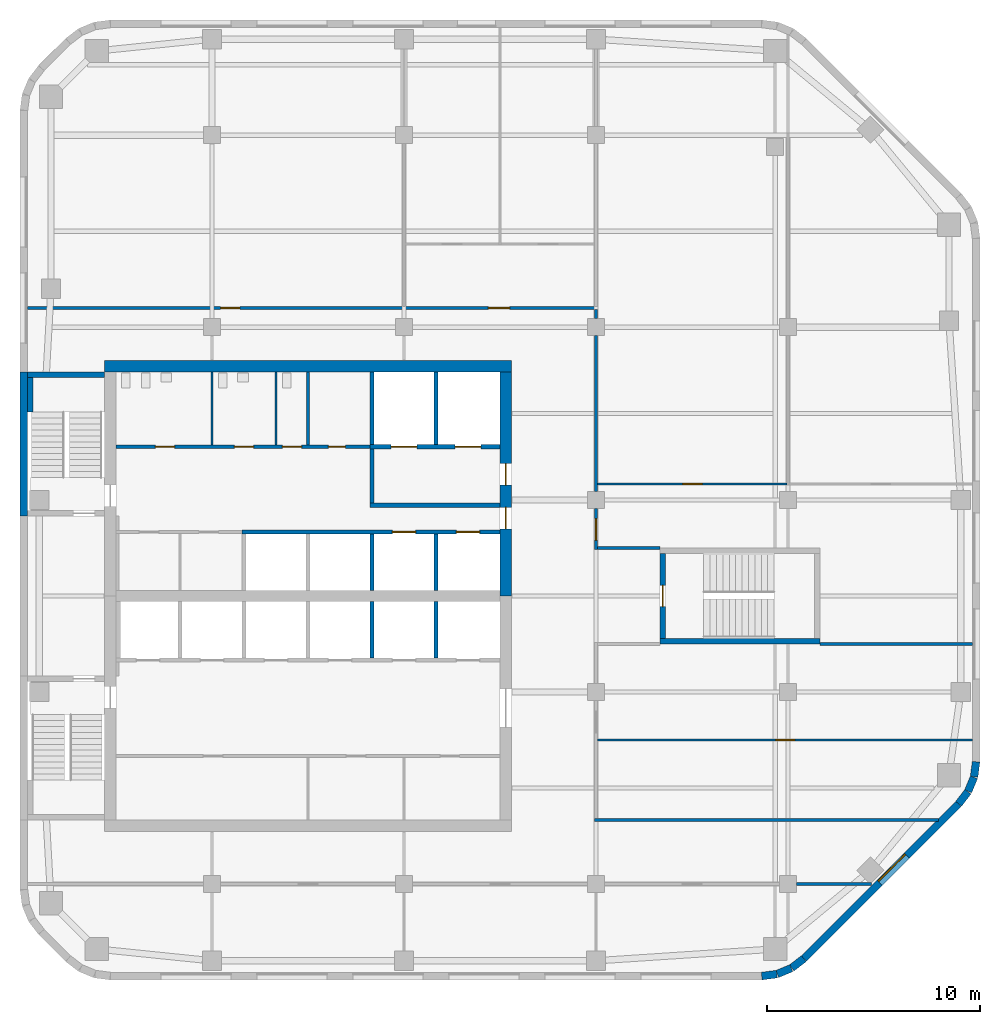
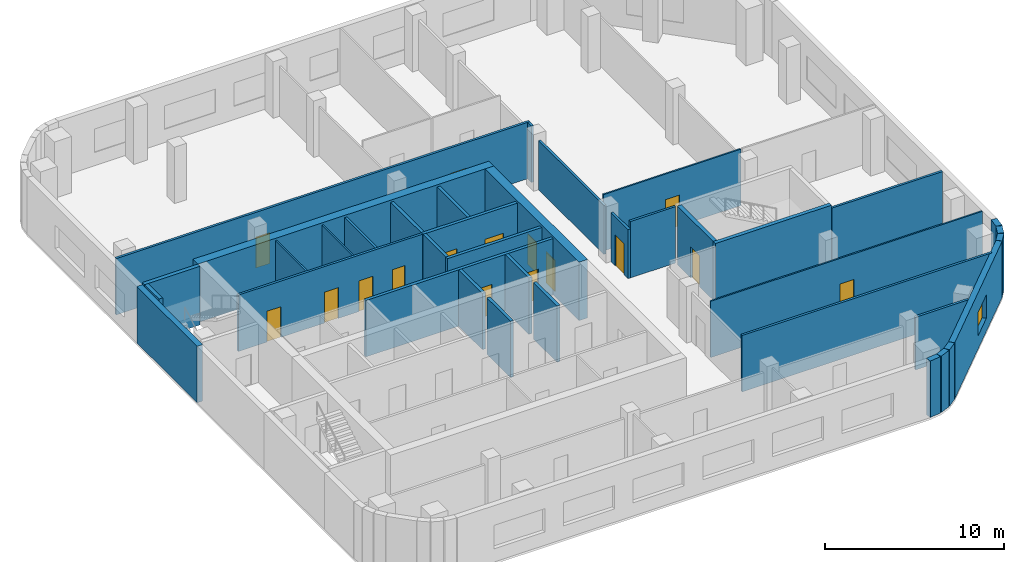
# One storey, part 4 of 8: 38 walls, 16 doors, 1 window, 17 openings.
"""IFC4 building model written with IfcOpenShell, lengths in metres."""

from ifc_helpers import new_model, si_unit, direction, frame, frame_2d, origin, place, context, subcontext, project, spatial, rectangle, extrude, material, layer, layer_set, type_object, element, fill, save


model = new_model("IFC4")

# Units and contexts
model_context = context("Model", 3, precision=1e-05, world=origin(), true_north=direction((0.0, 1.0)))
body_context = subcontext(model_context, "Body", "Model", "MODEL_VIEW")
ifc_project = project(units=[si_unit("LENGTHUNIT", "METRE"), si_unit("AREAUNIT", "SQUARE_METRE"), si_unit("VOLUMEUNIT", "CUBIC_METRE"), si_unit("PLANEANGLEUNIT", "RADIAN"), si_unit("MASSUNIT", "GRAM", prefix="KILO")], contexts=[model_context])

# Site, building, storey
site_placement = place(None, origin())
site = spatial("IfcSite", under=ifc_project, at=site_placement, CompositionType="ELEMENT")
building_placement = place(site_placement, origin())
building = spatial("IfcBuilding", under=site, at=building_placement, Name="Cinnabar Reach Civic Tower", CompositionType="ELEMENT")
storey_placement = place(building_placement, frame((0.0, 0.0, 206.0)))
storey = spatial("IfcBuildingStorey", under=building, at=storey_placement, Name="L49", CompositionType="ELEMENT", Elevation=206.0)

# Walls
ifc_material_1 = material(Name="Facing brick with insulated backing", Category="masonry")
ifc_layer_1 = layer(ifc_material_1, 0.36)
ifc_layer_set_1 = layer_set([ifc_layer_1], Name="Brick corner wall")
wall_type_1 = type_object("IfcWallType", Name="Brick corner wall", PredefinedType="STANDARD", material=ifc_layer_set_1)
for number, where, z_axis, x_axis, name in (
    (1, (34.7686, 13.683, 0.0), (0.0, 0.0, 1.0), (0.99144092581, 0.13055608231, 0.0), "Brick corner wall"),
    (2, (35.4973, 13.7819, 0.0), (0.0, 0.0, 1.0), (0.923871547278, 0.382702709855, 0.0), "Brick corner wall"),
):
    element("IfcWall", number, at=place(storey_placement, frame(where, z_axis=z_axis, x_axis=x_axis)), inside=storey, type_object=wall_type_1, Name=name, PredefinedType="STANDARD", context=body_context, shape_type="SweptSolid", body=[
        extrude(rectangle(XDim=0.7131, YDim=0.36, at=frame_2d((0.3565, 0.0))), origin(), (0.0, 0.0, 1.0), 3.85),
    ])
for number, where, z_axis, x_axis, name in (
    (3, (36.1755, 14.066, 0.0), (0.0, 0.0, 1.0), (0.793321924995, 0.608802368033, 0.0), "Brick corner wall"),
    (4, (43.9998, 21.7587, 0.0), (0.0, 0.0, 1.0), (0.608802368033, 0.793321924995, 0.0), "Brick corner wall"),
):
    element("IfcWall", number, at=place(storey_placement, frame(where, z_axis=z_axis, x_axis=x_axis)), inside=storey, type_object=wall_type_1, Name=name, PredefinedType="STANDARD", context=body_context, shape_type="SweptSolid", body=[
        extrude(rectangle(XDim=0.7132, YDim=0.36, at=frame_2d((0.3566, 0.0))), origin(), (0.0, 0.0, 1.0), 3.85),
    ])
for number, where, z_axis, x_axis, name in (
    (5, (44.4452, 22.3439, 0.0), (0.0, 0.0, 1.0), (0.382702709855, 0.923871547278, 0.0), "Brick corner wall"),
    (6, (44.7239, 23.0244, 0.0), (0.0, 0.0, 1.0), (0.13055608231, 0.99144092581, 0.0), "Brick corner wall"),
):
    element("IfcWall", number, at=place(storey_placement, frame(where, z_axis=z_axis, x_axis=x_axis)), inside=storey, type_object=wall_type_1, Name=name, PredefinedType="STANDARD", context=body_context, shape_type="SweptSolid", body=[
        extrude(rectangle(XDim=0.7131, YDim=0.36, at=frame_2d((0.3565, 0.0))), origin(), (0.0, 0.0, 1.0), 3.85),
    ])

# Wall, opening, window
ifc_layer_2 = layer(ifc_material_1, 0.36)
ifc_layer_set_2 = layer_set([ifc_layer_2], Name="Brick pier and spandrel wall")
wall_type_2 = type_object("IfcWallType", Name="Brick pier and spandrel wall", PredefinedType="STANDARD", material=ifc_layer_set_2)
wall_1_placement = place(storey_placement, frame((36.7514, 14.506, 0.0), z_axis=(0.0, 0.0, 1.0), x_axis=(0.707106781187, 0.707106781187, 0.0)))
wall_1 = element("IfcWall", 7, at=wall_1_placement, inside=storey, type_object=wall_type_2, Name="Brick facade wall", PredefinedType="STANDARD", context=body_context, shape_type="SweptSolid", body=[
    extrude(rectangle(XDim=10.2426, YDim=0.36, at=frame_2d((5.1213, 0.0))), origin(), (0.0, 0.0, 1.0), 3.85),
])
opening_1_placement = place(wall_1_placement, frame((5.0213, 0.0, 0.9)))
opening_1 = element("IfcOpeningElement", 8, at=opening_1_placement, cuts=wall_1, Name="Opening W2006", PredefinedType="OPENING", context=body_context, shape_type="SweptSolid", body=[
    extrude(rectangle(XDim=1.8, YDim=1.6, at=frame_2d((0.9, 0.8))), frame((0.0, 0.19, 0.0), z_axis=(0.0, -1.0, 0.0), x_axis=(1.0, 0.0, 0.0)), (0.0, 0.0, 1.0), 0.38),
])
ifc_material_2 = material(Name="Clear double glazing in aluminium frame", Category="aluminium")
window_type = type_object("IfcWindowType", Name="Deep-set window D", PartitioningType="SINGLE_PANEL", PredefinedType="WINDOW", material=ifc_material_2)
window_placement = place(opening_1_placement, origin())
window = element("IfcWindow", 9, at=window_placement, inside=storey, type_object=window_type, Name="Window southeast face", OverallHeight=1.6, OverallWidth=1.8, PartitioningType="SINGLE_PANEL", PredefinedType="WINDOW", context=body_context, shape_type="SweptSolid", body=[
    extrude(rectangle(XDim=1.8, YDim=1.6, at=frame_2d((0.9, 0.8))), frame((0.0, 0.13, 0.0), z_axis=(0.0, -1.0, 0.0), x_axis=(1.0, 0.0, 0.0)), (0.0, 0.0, 1.0), 0.06),
])
fill(opening_1, window)

# Walls
wall_2_placement = place(storey_placement, frame((0.18, 42.0, 0.0), z_axis=(0.0, 0.0, 1.0), x_axis=(0.0, -1.0, 0.0)))
element("IfcWall", 10, at=wall_2_placement, inside=storey, type_object=wall_type_2, Name="Brick facade wall", PredefinedType="STANDARD", context=body_context, shape_type="SweptSolid", body=[
    extrude(rectangle(XDim=6.75, YDim=0.36, at=frame_2d((3.375, 0.0))), origin(), (0.0, 0.0, 1.0), 3.85),
])
ifc_material_3 = material(Name="Concrete C60", Category="concrete")
ifc_layer_3 = layer(ifc_material_3, 0.55)
ifc_layer_set_3 = layer_set([ifc_layer_3], Name="Core wall 550 EI 180")
wall_type_3 = type_object("IfcWallType", Name="Core wall 550 EI 180", PredefinedType="SOLIDWALL", material=ifc_layer_set_3)
wall_3_placement = place(storey_placement, frame((23.05, 42.275, 0.0), z_axis=(0.0, 0.0, 1.0), x_axis=(-1.0, 0.0, 0.0)))
element("IfcWall", 11, at=wall_3_placement, inside=storey, type_object=wall_type_3, Name="Core wall T1 L49 N", PredefinedType="SOLIDWALL", context=body_context, shape_type="SweptSolid", body=[
    extrude(rectangle(XDim=19.1, YDim=0.55, at=frame_2d((9.55, 0.0))), origin(), (0.0, 0.0, 1.0), 4.0),
])

# Wall, openings, doors
wall_4_placement = place(storey_placement, frame((22.775, 31.5, 0.0), z_axis=(0.0, 0.0, 1.0), x_axis=(0.0, 1.0, 0.0)))
wall_4 = element("IfcWall", 12, at=wall_4_placement, inside=storey, type_object=wall_type_3, Name="Core wall T1 L49 E2", PredefinedType="SOLIDWALL", context=body_context, shape_type="SweptSolid", body=[
    extrude(rectangle(XDim=10.5, YDim=0.55, at=frame_2d((5.25, 0.0))), origin(), (0.0, 0.0, 1.0), 4.0),
])
opening_2_placement = place(wall_4_placement, frame((3.15, 0.0, 0.0)))
opening_2 = element("IfcOpeningElement", 13, at=opening_2_placement, cuts=wall_4, Name="Opening D5008", PredefinedType="OPENING", context=body_context, shape_type="SweptSolid", body=[
    extrude(rectangle(XDim=1.0, YDim=2.1, at=frame_2d((0.5, 1.05))), frame((0.0, 0.285, 0.0), z_axis=(0.0, -1.0, 0.0), x_axis=(1.0, 0.0, 0.0)), (0.0, 0.0, 1.0), 0.57),
])
opening_3_placement = place(wall_4_placement, frame((5.2, 0.0, 0.0)))
opening_3 = element("IfcOpeningElement", 14, at=opening_3_placement, cuts=wall_4, Name="Opening D5009", PredefinedType="OPENING", context=body_context, shape_type="SweptSolid", body=[
    extrude(rectangle(XDim=1.0, YDim=2.1, at=frame_2d((0.5, 1.05))), frame((0.0, 0.285, 0.0), z_axis=(0.0, -1.0, 0.0), x_axis=(1.0, 0.0, 0.0)), (0.0, 0.0, 1.0), 0.57),
])
ifc_material_4 = material(Name="Timber door leaf in steel frame", Category="steel")
door_type_1 = type_object("IfcDoorType", Name="Firefighting lobby door 1000 x 2100 T1", OperationType="SINGLE_SWING_LEFT", PredefinedType="DOOR", material=ifc_material_4)
door_1_placement = place(opening_3_placement, origin())
door_1 = element("IfcDoor", 15, at=door_1_placement, inside=storey, type_object=door_type_1, Name="Door D5009", OperationType="SINGLE_SWING_RIGHT", OverallHeight=2.1, OverallWidth=1.0, PredefinedType="DOOR", context=body_context, shape_type="SweptSolid", body=[
    extrude(rectangle(XDim=1.0, YDim=2.1, at=frame_2d((0.5, 1.05))), frame((0.0, 0.025, 0.0), z_axis=(0.0, -1.0, 0.0), x_axis=(1.0, 0.0, 0.0)), (0.0, 0.0, 1.0), 0.05),
])
fill(opening_3, door_1)
door_type_2 = type_object("IfcDoorType", Name="Single swing door 1000 x 2100 T1", OperationType="SINGLE_SWING_LEFT", PredefinedType="DOOR", material=ifc_material_4)
door_2_placement = place(opening_2_placement, origin())
door_2 = element("IfcDoor", 16, at=door_2_placement, inside=storey, type_object=door_type_2, Name="Door D5008", OperationType="SINGLE_SWING_RIGHT", OverallHeight=2.1, OverallWidth=1.0, PredefinedType="DOOR", context=body_context, shape_type="SweptSolid", body=[
    extrude(rectangle(XDim=1.0, YDim=2.1, at=frame_2d((0.5, 1.05))), frame((0.0, 0.025, 0.0), z_axis=(0.0, -1.0, 0.0), x_axis=(1.0, 0.0, 0.0)), (0.0, 0.0, 1.0), 0.05),
])
fill(opening_2, door_2)

# Wall
ifc_material_5 = material(Name="Gypsum board on steel studs, double layer", Category="steel")
ifc_layer_4 = layer(ifc_material_5, 0.15)
ifc_layer_set_4 = layer_set([ifc_layer_4], Name="Corridor wall 150 T1")
wall_type_4 = type_object("IfcWallType", Name="Corridor wall 150 T1", PredefinedType="PARTITIONING", material=ifc_layer_set_4)
wall_5_placement = place(storey_placement, frame((36.4, 18.0, 0.0), z_axis=(0.0, 0.0, 1.0), x_axis=(1.0, 0.0, 0.0)))
element("IfcWall", 17, at=wall_5_placement, inside=storey, type_object=wall_type_4, Name="Corridor wall 18", PredefinedType="PARTITIONING", context=body_context, shape_type="SweptSolid", body=[
    extrude(rectangle(XDim=3.516, YDim=0.15, at=frame_2d((1.758, 0.0))), origin(), (0.0, 0.0, 1.0), 3.602),
])

# Wall, openings, doors
wall_6_placement = place(storey_placement, frame((0.36, 45.0, 0.0), z_axis=(0.0, 0.0, 1.0), x_axis=(1.0, 0.0, 0.0)))
wall_6 = element("IfcWall", 18, at=wall_6_placement, inside=storey, type_object=wall_type_4, Name="Corridor wall 23", PredefinedType="PARTITIONING", context=body_context, shape_type="SweptSolid", body=[
    extrude(rectangle(XDim=26.715, YDim=0.15, at=frame_2d((13.3575, 0.0))), origin(), (0.0, 0.0, 1.0), 3.85),
])
opening_4_placement = place(wall_6_placement, frame((9.05, 0.0, 0.0)))
opening_4 = element("IfcOpeningElement", 19, at=opening_4_placement, cuts=wall_6, Name="Opening D5028", PredefinedType="OPENING", context=body_context, shape_type="SweptSolid", body=[
    extrude(rectangle(XDim=0.9, YDim=2.1, at=frame_2d((0.45, 1.05))), frame((0.0, 0.085, 0.0), z_axis=(0.0, -1.0, 0.0), x_axis=(1.0, 0.0, 0.0)), (0.0, 0.0, 1.0), 0.17),
])
opening_5_placement = place(wall_6_placement, frame((21.59, 0.0, 0.0)))
opening_5 = element("IfcOpeningElement", 20, at=opening_5_placement, cuts=wall_6, Name="Opening D5029", PredefinedType="OPENING", context=body_context, shape_type="SweptSolid", body=[
    extrude(rectangle(XDim=1.0, YDim=2.1, at=frame_2d((0.5, 1.05))), frame((0.0, 0.085, 0.0), z_axis=(0.0, -1.0, 0.0), x_axis=(1.0, 0.0, 0.0)), (0.0, 0.0, 1.0), 0.17),
])
door_type_3 = type_object("IfcDoorType", Name="Single swing door 900 x 2100 corridor T1", OperationType="SINGLE_SWING_LEFT", PredefinedType="DOOR", material=ifc_material_4)
door_3_placement = place(opening_4_placement, origin())
door_3 = element("IfcDoor", 21, at=door_3_placement, inside=storey, type_object=door_type_3, Name="Door D5028", OperationType="SINGLE_SWING_LEFT", OverallHeight=2.1, OverallWidth=0.9, PredefinedType="DOOR", context=body_context, shape_type="SweptSolid", body=[
    extrude(rectangle(XDim=0.9, YDim=2.1, at=frame_2d((0.45, 1.05))), frame((0.0, 0.025, 0.0), z_axis=(0.0, -1.0, 0.0), x_axis=(1.0, 0.0, 0.0)), (0.0, 0.0, 1.0), 0.05),
])
fill(opening_4, door_3)
door_type_4 = type_object("IfcDoorType", Name="Tenancy entrance door 1000 x 2100 T1", OperationType="SINGLE_SWING_LEFT", PredefinedType="DOOR", material=ifc_material_4)
door_4_placement = place(opening_5_placement, origin())
door_4 = element("IfcDoor", 22, at=door_4_placement, inside=storey, type_object=door_type_4, Name="Door D5029", OperationType="SINGLE_SWING_RIGHT", OverallHeight=2.1, OverallWidth=1.0, PredefinedType="DOOR", context=body_context, shape_type="SweptSolid", body=[
    extrude(rectangle(XDim=1.0, YDim=2.1, at=frame_2d((0.5, 1.05))), frame((0.0, 0.025, 0.0), z_axis=(0.0, -1.0, 0.0), x_axis=(1.0, 0.0, 0.0)), (0.0, 0.0, 1.0), 0.05),
])
fill(opening_5, door_4)

# Wall
wall_7_placement = place(storey_placement, frame((26.925, 21.0, 0.0), z_axis=(0.0, 0.0, 1.0), x_axis=(1.0, 0.0, 0.0)))
element("IfcWall", 23, at=wall_7_placement, inside=storey, type_object=wall_type_4, Name="Corridor wall 25", PredefinedType="PARTITIONING", context=body_context, shape_type="SweptSolid", body=[
    extrude(rectangle(XDim=16.1409, YDim=0.15, at=frame_2d((8.0704, 0.0))), origin(), (0.0, 0.0, 1.0), 3.85),
])

# Wall, openings, doors
wall_8_placement = place(storey_placement, frame((4.5, 38.5, 0.0), z_axis=(0.0, 0.0, 1.0), x_axis=(1.0, 0.0, 0.0)))
wall_8 = element("IfcWall", 24, at=wall_8_placement, inside=storey, type_object=wall_type_4, Name="Corridor wall 26", PredefinedType="PARTITIONING", context=body_context, shape_type="SweptSolid", body=[
    extrude(rectangle(XDim=11.9, YDim=0.15, at=frame_2d((5.95, 0.0))), origin(), (0.0, 0.0, 1.0), 3.85),
])
opening_6_placement = place(wall_8_placement, frame((1.85, 0.0, 0.0)))
opening_6 = element("IfcOpeningElement", 25, at=opening_6_placement, cuts=wall_8, Name="Opening D5016", PredefinedType="OPENING", context=body_context, shape_type="SweptSolid", body=[
    extrude(rectangle(XDim=0.9, YDim=2.1, at=frame_2d((0.45, 1.05))), frame((0.0, 0.085, 0.0), z_axis=(0.0, -1.0, 0.0), x_axis=(1.0, 0.0, 0.0)), (0.0, 0.0, 1.0), 0.17),
])
opening_7_placement = place(wall_8_placement, frame((5.55, 0.0, 0.0)))
opening_7 = element("IfcOpeningElement", 26, at=opening_7_placement, cuts=wall_8, Name="Opening D5017", PredefinedType="OPENING", context=body_context, shape_type="SweptSolid", body=[
    extrude(rectangle(XDim=0.9, YDim=2.1, at=frame_2d((0.45, 1.05))), frame((0.0, 0.085, 0.0), z_axis=(0.0, -1.0, 0.0), x_axis=(1.0, 0.0, 0.0)), (0.0, 0.0, 1.0), 0.17),
])
opening_8_placement = place(wall_8_placement, frame((7.8, 0.0, 0.0)))
opening_8 = element("IfcOpeningElement", 27, at=opening_8_placement, cuts=wall_8, Name="Opening D5018", PredefinedType="OPENING", context=body_context, shape_type="SweptSolid", body=[
    extrude(rectangle(XDim=0.9, YDim=2.1, at=frame_2d((0.45, 1.05))), frame((0.0, 0.085, 0.0), z_axis=(0.0, -1.0, 0.0), x_axis=(1.0, 0.0, 0.0)), (0.0, 0.0, 1.0), 0.17),
])
opening_9_placement = place(wall_8_placement, frame((9.95, 0.0, 0.0)))
opening_9 = element("IfcOpeningElement", 28, at=opening_9_placement, cuts=wall_8, Name="Opening D5019", PredefinedType="OPENING", context=body_context, shape_type="SweptSolid", body=[
    extrude(rectangle(XDim=0.8, YDim=2.1, at=frame_2d((0.4, 1.05))), frame((0.0, 0.085, 0.0), z_axis=(0.0, -1.0, 0.0), x_axis=(1.0, 0.0, 0.0)), (0.0, 0.0, 1.0), 0.17),
])
door_type_5 = type_object("IfcDoorType", Name="Riser access door 800 x 2100 T1", OperationType="SINGLE_SWING_LEFT", PredefinedType="DOOR", material=ifc_material_4)
door_5_placement = place(opening_9_placement, origin())
door_5 = element("IfcDoor", 29, at=door_5_placement, inside=storey, type_object=door_type_5, Name="Door D5019", OperationType="SINGLE_SWING_LEFT", OverallHeight=2.1, OverallWidth=0.8, PredefinedType="DOOR", context=body_context, shape_type="SweptSolid", body=[
    extrude(rectangle(XDim=0.8, YDim=2.1, at=frame_2d((0.4, 1.05))), frame((0.0, 0.025, 0.0), z_axis=(0.0, -1.0, 0.0), x_axis=(1.0, 0.0, 0.0)), (0.0, 0.0, 1.0), 0.05),
])
fill(opening_9, door_5)
door_6_placement = place(opening_6_placement, origin())
door_6 = element("IfcDoor", 30, at=door_6_placement, inside=storey, type_object=door_type_3, Name="Door D5016", OperationType="SINGLE_SWING_LEFT", OverallHeight=2.1, OverallWidth=0.9, PredefinedType="DOOR", context=body_context, shape_type="SweptSolid", body=[
    extrude(rectangle(XDim=0.9, YDim=2.1, at=frame_2d((0.45, 1.05))), frame((0.0, 0.025, 0.0), z_axis=(0.0, -1.0, 0.0), x_axis=(1.0, 0.0, 0.0)), (0.0, 0.0, 1.0), 0.05),
])
fill(opening_6, door_6)
door_7_placement = place(opening_7_placement, origin())
door_7 = element("IfcDoor", 31, at=door_7_placement, inside=storey, type_object=door_type_3, Name="Door D5017", OperationType="SINGLE_SWING_LEFT", OverallHeight=2.1, OverallWidth=0.9, PredefinedType="DOOR", context=body_context, shape_type="SweptSolid", body=[
    extrude(rectangle(XDim=0.9, YDim=2.1, at=frame_2d((0.45, 1.05))), frame((0.0, 0.025, 0.0), z_axis=(0.0, -1.0, 0.0), x_axis=(1.0, 0.0, 0.0)), (0.0, 0.0, 1.0), 0.05),
])
fill(opening_7, door_7)
door_8_placement = place(opening_8_placement, origin())
door_8 = element("IfcDoor", 32, at=door_8_placement, inside=storey, type_object=door_type_3, Name="Door D5018", OperationType="SINGLE_SWING_RIGHT", OverallHeight=2.1, OverallWidth=0.9, PredefinedType="DOOR", context=body_context, shape_type="SweptSolid", body=[
    extrude(rectangle(XDim=0.9, YDim=2.1, at=frame_2d((0.45, 1.05))), frame((0.0, 0.025, 0.0), z_axis=(0.0, -1.0, 0.0), x_axis=(1.0, 0.0, 0.0)), (0.0, 0.0, 1.0), 0.05),
])
fill(opening_8, door_8)

# Wall, opening, door
wall_9_placement = place(storey_placement, frame((27.0, 33.675, 0.0), z_axis=(0.0, 0.0, 1.0), x_axis=(0.0, 1.0, 0.0)))
wall_9 = element("IfcWall", 33, at=wall_9_placement, inside=storey, type_object=wall_type_4, Name="Corridor wall 27", PredefinedType="PARTITIONING", context=body_context, shape_type="SweptSolid", body=[
    extrude(rectangle(XDim=1.925, YDim=0.15, at=frame_2d((0.9625, 0.0))), origin(), (0.0, 0.0, 1.0), 3.35),
])
opening_10_placement = place(wall_9_placement, frame((0.45, 0.0, 0.0)))
opening_10 = element("IfcOpeningElement", 34, at=opening_10_placement, cuts=wall_9, Name="Opening D5020", PredefinedType="OPENING", context=body_context, shape_type="SweptSolid", body=[
    extrude(rectangle(XDim=1.0, YDim=2.1, at=frame_2d((0.5, 1.05))), frame((0.0, 0.085, 0.0), z_axis=(0.0, -1.0, 0.0), x_axis=(1.0, 0.0, 0.0)), (0.0, 0.0, 1.0), 0.17),
])
door_9_placement = place(opening_10_placement, frame((1.0, 0.0, 0.0), z_axis=(0.0, 0.0, 1.0), x_axis=(-1.0, 0.0, 0.0)))
door_9 = element("IfcDoor", 35, at=door_9_placement, inside=storey, type_object=door_type_4, Name="Door D5020", OperationType="SINGLE_SWING_RIGHT", OverallHeight=2.1, OverallWidth=1.0, PredefinedType="DOOR", context=body_context, shape_type="SweptSolid", body=[
    extrude(rectangle(XDim=1.0, YDim=2.1, at=frame_2d((0.5, 1.05))), frame((0.0, 0.025, 0.0), z_axis=(0.0, -1.0, 0.0), x_axis=(1.0, 0.0, 0.0)), (0.0, 0.0, 1.0), 0.05),
])
fill(opening_10, door_9)

# Walls
wall_10_placement = place(storey_placement, frame((27.0, 36.4, 0.0), z_axis=(0.0, 0.0, 1.0), x_axis=(0.0, 1.0, 0.0)))
element("IfcWall", 36, at=wall_10_placement, inside=storey, type_object=wall_type_4, Name="Corridor wall 28", PredefinedType="PARTITIONING", context=body_context, shape_type="SweptSolid", body=[
    extrude(rectangle(XDim=7.3, YDim=0.15, at=frame_2d((3.65, 0.0))), origin(), (0.0, 0.0, 1.0), 3.35),
])
wall_11_placement = place(storey_placement, frame((27.0, 44.5, 0.0), z_axis=(0.0, 0.0, 1.0), x_axis=(0.0, 1.0, 0.0)))
element("IfcWall", 37, at=wall_11_placement, inside=storey, type_object=wall_type_4, Name="Corridor wall 29", PredefinedType="PARTITIONING", context=body_context, shape_type="SweptSolid", body=[
    extrude(rectangle(XDim=0.425, YDim=0.15, at=frame_2d((0.2125, 0.0))), origin(), (0.0, 0.0, 1.0), 3.85),
])
wall_12_placement = place(storey_placement, frame((27.075, 33.75, 0.0), z_axis=(0.0, 0.0, 1.0), x_axis=(1.0, 0.0, 0.0)))
element("IfcWall", 38, at=wall_12_placement, inside=storey, type_object=wall_type_4, Name="Corridor wall 36", PredefinedType="PARTITIONING", context=body_context, shape_type="SweptSolid", body=[
    extrude(rectangle(XDim=2.925, YDim=0.15, at=frame_2d((1.4625, 0.0))), origin(), (0.0, 0.0, 1.0), 3.85),
])

# Wall, openings, doors
ifc_material_6 = material(Name="Blockwork", Category="masonry")
ifc_layer_5 = layer(ifc_material_6, 0.2)
ifc_layer_set_5 = layer_set([ifc_layer_5], Name="Lift shaft wall 200 T1")
wall_type_5 = type_object("IfcWallType", Name="Lift shaft wall 200 T1", PredefinedType="PARTITIONING", material=ifc_layer_set_5)
wall_13_placement = place(storey_placement, frame((10.4, 34.5, 0.0), z_axis=(0.0, 0.0, 1.0), x_axis=(1.0, 0.0, 0.0)))
wall_13 = element("IfcWall", 39, at=wall_13_placement, inside=storey, type_object=wall_type_5, Name="Lift shaft wall 5", PredefinedType="PARTITIONING", context=body_context, shape_type="SweptSolid", body=[
    extrude(rectangle(XDim=12.1, YDim=0.2, at=frame_2d((6.05, 0.0))), origin(), (0.0, 0.0, 1.0), 3.85),
])
opening_11_placement = place(wall_13_placement, frame((7.05, 0.0, 0.0)))
opening_11 = element("IfcOpeningElement", 40, at=opening_11_placement, cuts=wall_13, Name="Opening D5003", PredefinedType="OPENING", context=body_context, shape_type="SweptSolid", body=[
    extrude(rectangle(XDim=1.1, YDim=2.1, at=frame_2d((0.55, 1.05))), frame((0.0, 0.11, 0.0), z_axis=(0.0, -1.0, 0.0), x_axis=(1.0, 0.0, 0.0)), (0.0, 0.0, 1.0), 0.22),
])
opening_12_placement = place(wall_13_placement, frame((10.05, 0.0, 0.0)))
opening_12 = element("IfcOpeningElement", 41, at=opening_12_placement, cuts=wall_13, Name="Opening D5004", PredefinedType="OPENING", context=body_context, shape_type="SweptSolid", body=[
    extrude(rectangle(XDim=1.1, YDim=2.1, at=frame_2d((0.55, 1.05))), frame((0.0, 0.11, 0.0), z_axis=(0.0, -1.0, 0.0), x_axis=(1.0, 0.0, 0.0)), (0.0, 0.0, 1.0), 0.22),
])
ifc_material_7 = material(Name="Stainless steel sliding door", Category="steel")
door_type_6 = type_object("IfcDoorType", Name="Lift landing door 1100 x 2100 T1", OperationType="SLIDING_TO_LEFT", PredefinedType="DOOR", material=ifc_material_7)
door_10_placement = place(opening_11_placement, origin())
door_10 = element("IfcDoor", 42, at=door_10_placement, inside=storey, type_object=door_type_6, Name="Lift landing door SV1 L49", OperationType="SLIDING_TO_LEFT", OverallHeight=2.1, OverallWidth=1.1, PredefinedType="DOOR", context=body_context, shape_type="SweptSolid", body=[
    extrude(rectangle(XDim=1.1, YDim=2.1, at=frame_2d((0.55, 1.05))), frame((0.0, 0.025, 0.0), z_axis=(0.0, -1.0, 0.0), x_axis=(1.0, 0.0, 0.0)), (0.0, 0.0, 1.0), 0.05),
])
fill(opening_11, door_10)
door_11_placement = place(opening_12_placement, origin())
door_11 = element("IfcDoor", 43, at=door_11_placement, inside=storey, type_object=door_type_6, Name="Lift landing door SV2 L49", OperationType="SLIDING_TO_LEFT", OverallHeight=2.1, OverallWidth=1.1, PredefinedType="DOOR", context=body_context, shape_type="SweptSolid", body=[
    extrude(rectangle(XDim=1.1, YDim=2.1, at=frame_2d((0.55, 1.05))), frame((0.0, 0.025, 0.0), z_axis=(0.0, -1.0, 0.0), x_axis=(1.0, 0.0, 0.0)), (0.0, 0.0, 1.0), 0.05),
])
fill(opening_12, door_11)

# Walls
for number, where, z_axis, x_axis, name in (
    (44, (16.5, 28.6, 0.0), (0.0, 0.0, 1.0), (0.0, 1.0, 0.0), "Lift shaft wall 10"),
    (45, (16.5, 31.75, 0.0), (0.0, 0.0, 1.0), (0.0, 1.0, 0.0), "Lift shaft wall 11"),
    (46, (19.5, 28.6, 0.0), (0.0, 0.0, 1.0), (0.0, 1.0, 0.0), "Lift shaft wall 12"),
    (47, (19.5, 31.75, 0.0), (0.0, 0.0, 1.0), (0.0, 1.0, 0.0), "Lift shaft wall 13"),
):
    element("IfcWall", number, at=place(storey_placement, frame(where, z_axis=z_axis, x_axis=x_axis)), inside=storey, type_object=wall_type_5, Name=name, PredefinedType="PARTITIONING", context=body_context, shape_type="SweptSolid", body=[
        extrude(rectangle(XDim=2.65, YDim=0.2, at=frame_2d((1.325, 0.0))), origin(), (0.0, 0.0, 1.0), 3.85),
    ])
for number, where, z_axis, x_axis, name in (
    (48, (16.5, 38.6, 0.0), (0.0, 0.0, 1.0), (0.0, 1.0, 0.0), "Lift shaft wall 14"),
    (49, (19.5, 38.6, 0.0), (0.0, 0.0, 1.0), (0.0, 1.0, 0.0), "Lift shaft wall 15"),
):
    element("IfcWall", number, at=place(storey_placement, frame(where, z_axis=z_axis, x_axis=x_axis)), inside=storey, type_object=wall_type_5, Name=name, PredefinedType="PARTITIONING", context=body_context, shape_type="SweptSolid", body=[
        extrude(rectangle(XDim=3.4, YDim=0.2, at=frame_2d((1.7, 0.0))), origin(), (0.0, 0.0, 1.0), 3.85),
    ])

# Wall, opening, door
ifc_material_8 = material(Name="Gypsum board on steel studs", Category="steel")
ifc_layer_6 = layer(ifc_material_8, 0.1)
ifc_layer_set_6 = layer_set([ifc_layer_6], Name="Partition wall 100 T1")
wall_type_6 = type_object("IfcWallType", Name="Partition wall 100 T1", PredefinedType="PARTITIONING", material=ifc_layer_set_6)
wall_14_placement = place(storey_placement, frame((27.075, 24.75, 0.0), z_axis=(0.0, 0.0, 1.0), x_axis=(1.0, 0.0, 0.0)))
wall_14 = element("IfcWall", 50, at=wall_14_placement, inside=storey, type_object=wall_type_6, Name="Partition wall 44", PredefinedType="PARTITIONING", context=body_context, shape_type="SweptSolid", body=[
    extrude(rectangle(XDim=17.565, YDim=0.1, at=frame_2d((8.7825, 0.0))), origin(), (0.0, 0.0, 1.0), 3.85),
])
opening_13_placement = place(wall_14_placement, frame((8.35, 0.0, 0.0)))
opening_13 = element("IfcOpeningElement", 51, at=opening_13_placement, cuts=wall_14, Name="Opening D5024", PredefinedType="OPENING", context=body_context, shape_type="SweptSolid", body=[
    extrude(rectangle(XDim=0.9, YDim=2.1, at=frame_2d((0.45, 1.05))), frame((0.0, 0.06, 0.0), z_axis=(0.0, -1.0, 0.0), x_axis=(1.0, 0.0, 0.0)), (0.0, 0.0, 1.0), 0.12),
])
door_type_7 = type_object("IfcDoorType", Name="Single swing door 900 x 2100 T1", OperationType="SINGLE_SWING_LEFT", PredefinedType="DOOR", material=ifc_material_4)
door_12_placement = place(opening_13_placement, frame((0.9, 0.0, 0.0), z_axis=(0.0, 0.0, 1.0), x_axis=(-1.0, 0.0, 0.0)))
door_12 = element("IfcDoor", 52, at=door_12_placement, inside=storey, type_object=door_type_7, Name="Door D5024", OperationType="SINGLE_SWING_RIGHT", OverallHeight=2.1, OverallWidth=0.9, PredefinedType="DOOR", context=body_context, shape_type="SweptSolid", body=[
    extrude(rectangle(XDim=0.9, YDim=2.1, at=frame_2d((0.45, 1.05))), frame((0.0, 0.025, 0.0), z_axis=(0.0, -1.0, 0.0), x_axis=(1.0, 0.0, 0.0)), (0.0, 0.0, 1.0), 0.05),
])
fill(opening_13, door_12)

wall_15_placement = place(storey_placement, frame((27.075, 36.75, 0.0), z_axis=(0.0, 0.0, 1.0), x_axis=(1.0, 0.0, 0.0)))
wall_15 = element("IfcWall", 53, at=wall_15_placement, inside=storey, type_object=wall_type_6, Name="Partition wall 45", PredefinedType="PARTITIONING", context=body_context, shape_type="SweptSolid", body=[
    extrude(rectangle(XDim=8.875, YDim=0.1, at=frame_2d((4.4375, 0.0))), origin(), (0.0, 0.0, 1.0), 3.85),
])
opening_14_placement = place(wall_15_placement, frame((4.0, 0.0, 0.0)))
opening_14 = element("IfcOpeningElement", 54, at=opening_14_placement, cuts=wall_15, Name="Opening D5021", PredefinedType="OPENING", context=body_context, shape_type="SweptSolid", body=[
    extrude(rectangle(XDim=0.9, YDim=2.1, at=frame_2d((0.45, 1.05))), frame((0.0, 0.06, 0.0), z_axis=(0.0, -1.0, 0.0), x_axis=(1.0, 0.0, 0.0)), (0.0, 0.0, 1.0), 0.12),
])
door_13_placement = place(opening_14_placement, frame((0.9, 0.0, 0.0), z_axis=(0.0, 0.0, 1.0), x_axis=(-1.0, 0.0, 0.0)))
door_13 = element("IfcDoor", 55, at=door_13_placement, inside=storey, type_object=door_type_7, Name="Door D5021", OperationType="SINGLE_SWING_LEFT", OverallHeight=2.1, OverallWidth=0.9, PredefinedType="DOOR", context=body_context, shape_type="SweptSolid", body=[
    extrude(rectangle(XDim=0.9, YDim=2.1, at=frame_2d((0.45, 1.05))), frame((0.0, 0.025, 0.0), z_axis=(0.0, -1.0, 0.0), x_axis=(1.0, 0.0, 0.0)), (0.0, 0.0, 1.0), 0.05),
])
fill(opening_14, door_13)

# Walls
for number, where, z_axis, x_axis, name in (
    (56, (9.0, 38.575, 0.0), (0.0, 0.0, 1.0), (0.0, 1.0, 0.0), "Partition wall 54"),
    (57, (12.0, 38.575, 0.0), (0.0, 0.0, 1.0), (0.0, 1.0, 0.0), "Partition wall 55"),
):
    element("IfcWall", number, at=place(storey_placement, frame(where, z_axis=z_axis, x_axis=x_axis)), inside=storey, type_object=wall_type_6, Name=name, PredefinedType="PARTITIONING", context=body_context, shape_type="SweptSolid", body=[
        extrude(rectangle(XDim=3.425, YDim=0.1, at=frame_2d((1.7125, 0.0))), origin(), (0.0, 0.0, 1.0), 3.85),
    ])
ifc_material_9 = material(Name="Concrete C40", Category="concrete")
ifc_layer_7 = layer(ifc_material_9, 0.2)
ifc_layer_set_7 = layer_set([ifc_layer_7], Name="Refuge compartment wall 200 T1")
wall_type_7 = type_object("IfcWallType", Name="Refuge compartment wall 200 T1", PredefinedType="PARTITIONING", material=ifc_layer_set_7)
wall_16_placement = place(storey_placement, frame((16.4, 35.75, 0.0), z_axis=(0.0, 0.0, 1.0), x_axis=(1.0, 0.0, 0.0)))
element("IfcWall", 58, at=wall_16_placement, inside=storey, type_object=wall_type_7, Name="Refuge compartment wall 1", PredefinedType="PARTITIONING", context=body_context, shape_type="SweptSolid", body=[
    extrude(rectangle(XDim=6.1, YDim=0.2, at=frame_2d((3.05, 0.0))), origin(), (0.0, 0.0, 1.0), 3.85),
])

# Wall, openings, doors
wall_17_placement = place(storey_placement, frame((16.4, 38.5, 0.0), z_axis=(0.0, 0.0, 1.0), x_axis=(1.0, 0.0, 0.0)))
wall_17 = element("IfcWall", 59, at=wall_17_placement, inside=storey, type_object=wall_type_7, Name="Refuge compartment wall 2", PredefinedType="PARTITIONING", context=body_context, shape_type="SweptSolid", body=[
    extrude(rectangle(XDim=6.1, YDim=0.2, at=frame_2d((3.05, 0.0))), origin(), (0.0, 0.0, 1.0), 3.85),
])
opening_15_placement = place(wall_17_placement, frame((1.0, 0.0, 0.0)))
opening_15 = element("IfcOpeningElement", 60, at=opening_15_placement, cuts=wall_17, Name="Opening D5005", PredefinedType="OPENING", context=body_context, shape_type="SweptSolid", body=[
    extrude(rectangle(XDim=1.2, YDim=2.1, at=frame_2d((0.6, 1.05))), frame((0.0, 0.11, 0.0), z_axis=(0.0, -1.0, 0.0), x_axis=(1.0, 0.0, 0.0)), (0.0, 0.0, 1.0), 0.22),
])
opening_16_placement = place(wall_17_placement, frame((4.0, 0.0, 0.0)))
opening_16 = element("IfcOpeningElement", 61, at=opening_16_placement, cuts=wall_17, Name="Opening D5006", PredefinedType="OPENING", context=body_context, shape_type="SweptSolid", body=[
    extrude(rectangle(XDim=1.2, YDim=2.1, at=frame_2d((0.6, 1.05))), frame((0.0, 0.11, 0.0), z_axis=(0.0, -1.0, 0.0), x_axis=(1.0, 0.0, 0.0)), (0.0, 0.0, 1.0), 0.22),
])
door_type_8 = type_object("IfcDoorType", Name="Firefighting lift landing door 1200 x 2100 T1", OperationType="SLIDING_TO_LEFT", PredefinedType="DOOR", material=ifc_material_7)
door_14_placement = place(opening_15_placement, origin())
door_14 = element("IfcDoor", 62, at=door_14_placement, inside=storey, type_object=door_type_8, Name="Lift landing door FF1 L49", OperationType="SLIDING_TO_LEFT", OverallHeight=2.1, OverallWidth=1.2, PredefinedType="DOOR", context=body_context, shape_type="SweptSolid", body=[
    extrude(rectangle(XDim=1.2, YDim=2.1, at=frame_2d((0.6, 1.05))), frame((0.0, 0.025, 0.0), z_axis=(0.0, -1.0, 0.0), x_axis=(1.0, 0.0, 0.0)), (0.0, 0.0, 1.0), 0.05),
])
fill(opening_15, door_14)
door_15_placement = place(opening_16_placement, origin())
door_15 = element("IfcDoor", 63, at=door_15_placement, inside=storey, type_object=door_type_8, Name="Lift landing door FF2 L49", OperationType="SLIDING_TO_LEFT", OverallHeight=2.1, OverallWidth=1.2, PredefinedType="DOOR", context=body_context, shape_type="SweptSolid", body=[
    extrude(rectangle(XDim=1.2, YDim=2.1, at=frame_2d((0.6, 1.05))), frame((0.0, 0.025, 0.0), z_axis=(0.0, -1.0, 0.0), x_axis=(1.0, 0.0, 0.0)), (0.0, 0.0, 1.0), 0.05),
])
fill(opening_16, door_15)

# Walls
wall_18_placement = place(storey_placement, frame((16.5, 35.85, 0.0), z_axis=(0.0, 0.0, 1.0), x_axis=(0.0, 1.0, 0.0)))
element("IfcWall", 64, at=wall_18_placement, inside=storey, type_object=wall_type_7, Name="Refuge compartment wall 3", PredefinedType="PARTITIONING", context=body_context, shape_type="SweptSolid", body=[
    extrude(rectangle(XDim=2.55, YDim=0.2, at=frame_2d((1.275, 0.0))), origin(), (0.0, 0.0, 1.0), 3.85),
])
ifc_layer_8 = layer(ifc_material_6, 0.15)
ifc_layer_set_8 = layer_set([ifc_layer_8], Name="Riser wall 150 T1")
wall_type_8 = type_object("IfcWallType", Name="Riser wall 150 T1", PredefinedType="PARTITIONING", material=ifc_layer_set_8)
wall_19_placement = place(storey_placement, frame((13.5, 38.575, 0.0), z_axis=(0.0, 0.0, 1.0), x_axis=(0.0, 1.0, 0.0)))
element("IfcWall", 65, at=wall_19_placement, inside=storey, type_object=wall_type_8, Name="Riser wall 38", PredefinedType="PARTITIONING", context=body_context, shape_type="SweptSolid", body=[
    extrude(rectangle(XDim=3.425, YDim=0.15, at=frame_2d((1.7125, 0.0))), origin(), (0.0, 0.0, 1.0), 3.85),
])
ifc_layer_9 = layer(ifc_material_3, 0.25)
ifc_layer_set_9 = layer_set([ifc_layer_9], Name="Stair shaft wall 250 EI 120")
wall_type_9 = type_object("IfcWallType", Name="Stair shaft wall 250 EI 120", PredefinedType="SOLIDWALL", material=ifc_layer_set_9)
wall_20_placement = place(storey_placement, frame((3.95, 41.875, 0.0), z_axis=(0.0, 0.0, 1.0), x_axis=(-1.0, 0.0, 0.0)))
element("IfcWall", 66, at=wall_20_placement, inside=storey, type_object=wall_type_9, Name="Stair shaft wall T1-S2 L49", PredefinedType="SOLIDWALL", context=body_context, shape_type="SweptSolid", body=[
    extrude(rectangle(XDim=3.59, YDim=0.25, at=frame_2d((1.795, 0.0))), origin(), (0.0, 0.0, 1.0), 4.0),
])
wall_21_placement = place(storey_placement, frame((30.0, 29.375, 0.0), z_axis=(0.0, 0.0, 1.0), x_axis=(1.0, 0.0, 0.0)))
element("IfcWall", 67, at=wall_21_placement, inside=storey, type_object=wall_type_9, Name="Stair shaft wall T1-S3 L49", PredefinedType="SOLIDWALL", context=body_context, shape_type="SweptSolid", body=[
    extrude(rectangle(XDim=7.5, YDim=0.25, at=frame_2d((3.75, 0.0))), origin(), (0.0, 0.0, 1.0), 4.0),
])

# Wall, opening, door
wall_22_placement = place(storey_placement, frame((30.125, 33.5, 0.0), z_axis=(0.0, 0.0, 1.0), x_axis=(0.0, -1.0, 0.0)))
wall_22 = element("IfcWall", 68, at=wall_22_placement, inside=storey, type_object=wall_type_9, Name="Stair shaft wall T1-S3 L49", PredefinedType="SOLIDWALL", context=body_context, shape_type="SweptSolid", body=[
    extrude(rectangle(XDim=4.0, YDim=0.25, at=frame_2d((2.0, 0.0))), origin(), (0.0, 0.0, 1.0), 4.0),
])
opening_17_placement = place(wall_22_placement, frame((1.5, 0.0, 0.0)))
opening_17 = element("IfcOpeningElement", 69, at=opening_17_placement, cuts=wall_22, Name="Opening D5010", PredefinedType="OPENING", context=body_context, shape_type="SweptSolid", body=[
    extrude(rectangle(XDim=1.0, YDim=2.1, at=frame_2d((0.5, 1.05))), frame((0.0, 0.135, 0.0), z_axis=(0.0, -1.0, 0.0), x_axis=(1.0, 0.0, 0.0)), (0.0, 0.0, 1.0), 0.27),
])
door_type_9 = type_object("IfcDoorType", Name="Stair door 1000 x 2100 T1", OperationType="SINGLE_SWING_LEFT", PredefinedType="DOOR", material=ifc_material_4)
door_16_placement = place(opening_17_placement, origin())
door_16 = element("IfcDoor", 70, at=door_16_placement, inside=storey, type_object=door_type_9, Name="Door D5010", OperationType="SINGLE_SWING_RIGHT", OverallHeight=2.1, OverallWidth=1.0, PredefinedType="DOOR", context=body_context, shape_type="SweptSolid", body=[
    extrude(rectangle(XDim=1.0, YDim=2.1, at=frame_2d((0.5, 1.05))), frame((0.0, 0.025, 0.0), z_axis=(0.0, -1.0, 0.0), x_axis=(1.0, 0.0, 0.0)), (0.0, 0.0, 1.0), 0.05),
])
fill(opening_17, door_16)

# Walls
ifc_material_10 = material(Name="Concrete C40/50", Category="concrete")
ifc_layer_10 = layer(ifc_material_10, 0.24)
ifc_layer_set_10 = layer_set([ifc_layer_10], Name="T1 landing bearer wall 240")
wall_type_10 = type_object("IfcWallType", Name="T1 landing bearer wall 240", PredefinedType="STANDARD", material=ifc_layer_set_10)
wall_23_placement = place(storey_placement, frame((0.48, 40.13, 0.0), z_axis=(0.0, 0.0, 1.0), x_axis=(0.0, 1.0, 0.0)))
element("IfcWall", 71, at=wall_23_placement, inside=storey, type_object=wall_type_10, Name="T1-S2 landing bearer wall", PredefinedType="STANDARD", context=body_context, shape_type="SweptSolid", body=[
    extrude(rectangle(XDim=1.62, YDim=0.24, at=frame_2d((0.81, 0.0))), origin(), (0.0, 0.0, 1.0), 4.0),
])
ifc_layer_11 = layer(ifc_material_5, 0.15)
ifc_layer_set_11 = layer_set([ifc_layer_11], Name="Tenancy separating wall 150 T1")
wall_type_11 = type_object("IfcWallType", Name="Tenancy separating wall 150 T1", PredefinedType="PARTITIONING", material=ifc_layer_set_11)
wall_24_placement = place(storey_placement, frame((37.5, 29.25, 0.0), z_axis=(0.0, 0.0, 1.0), x_axis=(1.0, 0.0, 0.0)))
element("IfcWall", 72, at=wall_24_placement, inside=storey, type_object=wall_type_11, Name="Tenancy separating wall 41", PredefinedType="PARTITIONING", context=body_context, shape_type="SweptSolid", body=[
    extrude(rectangle(XDim=7.14, YDim=0.15, at=frame_2d((3.57, 0.0))), origin(), (0.0, 0.0, 1.0), 3.85),
])

save(model, "model.ifc")
